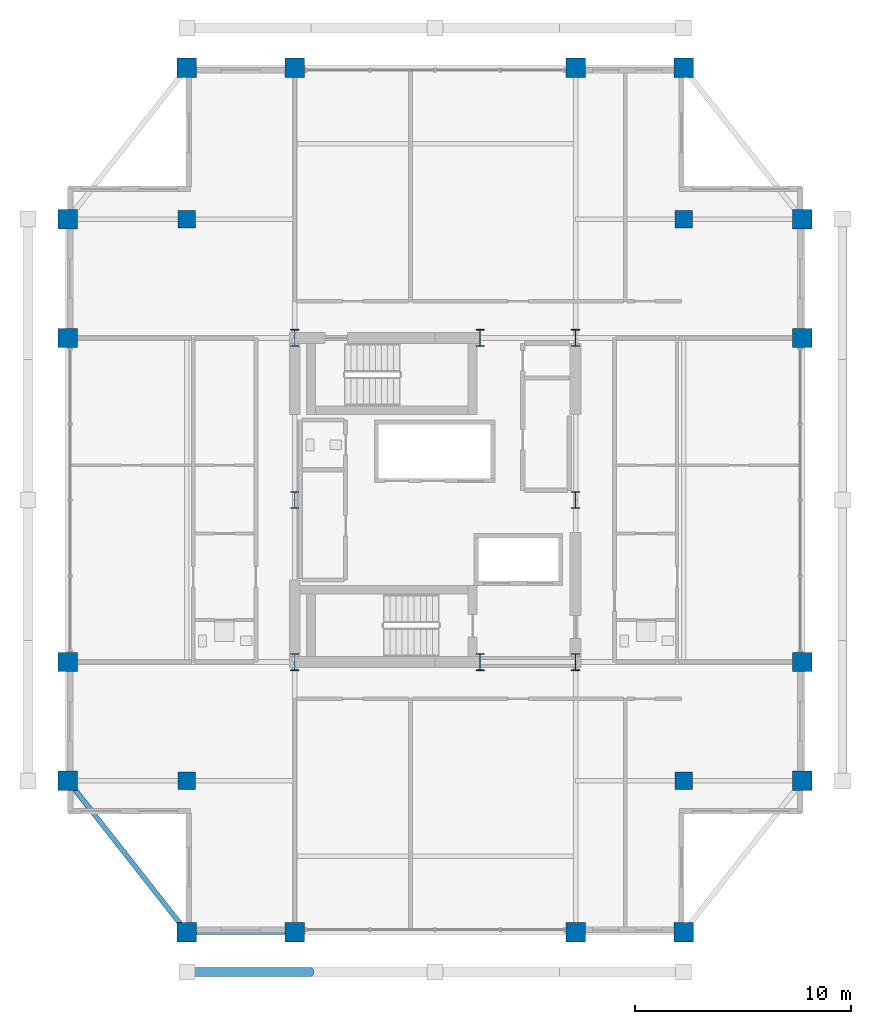
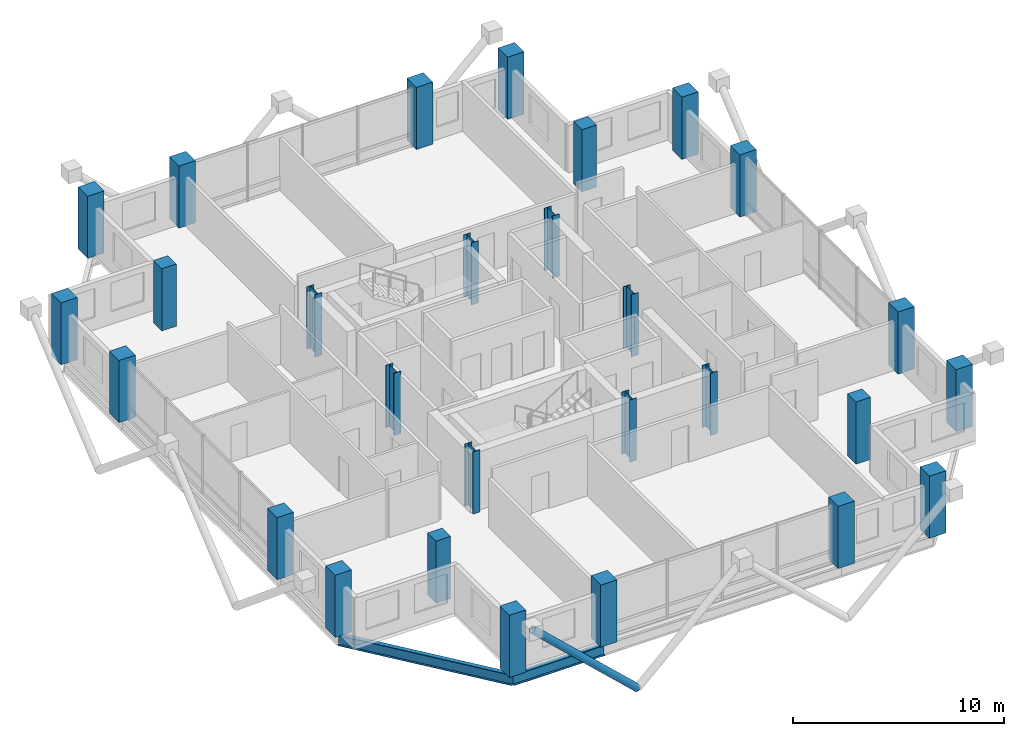
# One storey, part 1 of 23: 28 columns, 2 beams, 1 member.
"""IFC4 building model written with IfcOpenShell, lengths in metres."""

import ifcopenshell
import ifcopenshell.guid

model = None  # the IFC model being written
_history = None  # IfcOwnerHistory: only IFC2X3 demands one
_inside = {}  # id of a spatial element -> (the spatial element, [elements in it])
_under = {}  # id of a project, library or spatial element -> (it, [spatial elements below it])
_declared = {}  # id of a project -> (the project, [libraries it declares])
_typed = {}  # id of a type object -> (the type object, [elements of that type])
_made_of = {}  # id of a material, layer set ... -> (it, [elements and type objects made of it])


def new_model(schema):
    """Start an empty IFC model of exactly this schema.

    Asked for "IFC4X3", IfcOpenShell would pick the latest addendum, in which some entities
    have other attributes; the version numbers below select the first issue.
    IFC2X3 requires an IfcOwnerHistory on every rooted entity: one is made here for all.
    """
    global model, _history
    if schema == "IFC4X3":
        model = ifcopenshell.file(schema_version=(4, 3, 0, 0))
    else:
        model = ifcopenshell.file(schema=schema)
    _inside.clear()
    _under.clear()
    _declared.clear()
    _typed.clear()
    _made_of.clear()
    _history = None
    if model.schema == "IFC2X3":
        org = make("IfcOrganization", Name="unknown")
        user = make(
            "IfcPersonAndOrganization",
            ThePerson=make("IfcPerson", FamilyName="unknown"),
            TheOrganization=org,
        )
        app = make(
            "IfcApplication",
            ApplicationDeveloper=org,
            Version="unknown",
            ApplicationFullName="unknown",
            ApplicationIdentifier="unknown",
        )
        _history = make(
            "IfcOwnerHistory",
            OwningUser=user,
            OwningApplication=app,
            ChangeAction="ADDED",
            CreationDate=0,
        )
    return model


def make(cls, **values):
    """One entity of the class cls with the attributes given. An attribute that is None is left unset."""
    return model.create_entity(
        cls, **{name: value for name, value in values.items() if value is not None}
    )


def rooted(cls, **values):
    """An entity with a GlobalId (a new one), such as an element, a storey or a relation."""
    return make(cls, GlobalId=ifcopenshell.guid.new(), OwnerHistory=_history, **values)


def si_unit(unit_type, name, prefix=None):
    """IfcSIUnit, for example si_unit("LENGTHUNIT", "METRE", prefix="MILLI")."""
    return make("IfcSIUnit", UnitType=unit_type, Prefix=prefix, Name=name)


def assignment(units):
    """IfcUnitAssignment: the units of a project."""
    return None if units is None else make("IfcUnitAssignment", Units=units)


def point(xyz):
    """IfcCartesianPoint."""
    return None if xyz is None else make("IfcCartesianPoint", Coordinates=xyz)


def direction(xyz):
    """IfcDirection."""
    return None if xyz is None else make("IfcDirection", DirectionRatios=xyz)


def frame(location, z_axis=None, x_axis=None):
    """IfcAxis2Placement3D, a coordinate frame: its origin and axes. An axis left out is left unset."""
    return make(
        "IfcAxis2Placement3D",
        Location=point(location),
        Axis=direction(z_axis),
        RefDirection=direction(x_axis),
    )


def frame_2d(location, x_axis=None):
    """IfcAxis2Placement2D, a coordinate frame in the plane: its origin and x axis."""
    return make(
        "IfcAxis2Placement2D", Location=point(location), RefDirection=direction(x_axis)
    )


def origin():
    """The frame at (0, 0, 0) with its axes left unset."""
    return frame((0.0, 0.0, 0.0))


def origin_2d():
    """The frame at (0, 0) in the plane with its x axis left unset."""
    return frame_2d((0.0, 0.0))


def place(relative_to, where):
    """IfcLocalPlacement: puts the frame where relative to a parent placement (None: the world)."""
    return make(
        "IfcLocalPlacement", PlacementRelTo=relative_to, RelativePlacement=where
    )


def context(
    kind, dimensions, precision=None, world=None, true_north=None, identifier=None
):
    """IfcGeometricRepresentationContext, for example the 3D "Model" context."""
    return make(
        "IfcGeometricRepresentationContext",
        ContextIdentifier=identifier,
        ContextType=kind,
        CoordinateSpaceDimension=dimensions,
        Precision=precision,
        WorldCoordinateSystem=world,
        TrueNorth=true_north,
    )


def subcontext(parent, identifier, kind, view, scale=None):
    """IfcGeometricRepresentationSubContext, for example "Body" below "Model"."""
    return make(
        "IfcGeometricRepresentationSubContext",
        ContextIdentifier=identifier,
        ContextType=kind,
        ParentContext=parent,
        TargetScale=scale,
        TargetView=view,
    )


def project(units=None, contexts=None):
    """IfcProject with its units and contexts."""
    return rooted(
        "IfcProject",
        Name="project",
        RepresentationContexts=contexts,
        UnitsInContext=assignment(units),
    )


def spatial(cls, under=None, at=None, **own):
    """A site, building, storey or space (cls), placed at a placement, below another one or the project."""
    s = rooted(cls, ObjectPlacement=at, **own)
    if under is not None:
        _under.setdefault(under.id(), (under, []))[1].append(s)
    return s


def profile(cls, at=None, kind="AREA", **sizes):
    """A parametric profile (cls). Its sizes go by their IFC names, for example OverallWidth=200.0."""
    return make(cls, ProfileType=kind, Position=at, **sizes)


def rectangle(**sizes):
    """IfcRectangleProfileDef."""
    return profile("IfcRectangleProfileDef", **sizes)


def hollow_circle(**sizes):
    """IfcCircleHollowProfileDef."""
    return profile("IfcCircleHollowProfileDef", **sizes)


def i_section(**sizes):
    """IfcIShapeProfileDef."""
    return profile("IfcIShapeProfileDef", **sizes)


def extrude(swept, where, along, depth):
    """IfcExtrudedAreaSolid: the profile swept, set in the frame where, extruded along a direction by depth."""
    return make(
        "IfcExtrudedAreaSolid",
        SweptArea=swept,
        Position=where,
        ExtrudedDirection=direction(along),
        Depth=depth,
    )


def shape(context_of_items, identifier, shape_type, items):
    """IfcShapeRepresentation: the items that make up one representation, for example the "Body"."""
    return make(
        "IfcShapeRepresentation",
        ContextOfItems=context_of_items,
        RepresentationIdentifier=identifier,
        RepresentationType=shape_type,
        Items=items,
    )


def material(Name=None, Category=None):
    """IfcMaterial."""
    return make("IfcMaterial", Name=Name, Category=Category)


def material_profile(
    of_material, cross_section, Name=None, Category=None, Priority=None
):
    """IfcMaterialProfile: a cross section and its material."""
    return make(
        "IfcMaterialProfile",
        Name=Name,
        Material=of_material,
        Profile=cross_section,
        Priority=Priority,
        Category=Category,
    )


def profile_set(profiles, Name=None, composite=None):
    """IfcMaterialProfileSet."""
    return make(
        "IfcMaterialProfileSet",
        Name=Name,
        MaterialProfiles=profiles,
        CompositeProfile=composite,
    )


def made_of(thing, what):
    """Note that an element or type object is made of a material, layer set ...; save() writes the relation."""
    if what is not None:
        _made_of.setdefault(what.id(), (what, []))[1].append(thing)
    return thing


def type_object(cls, material=None, **own):
    """A type object (cls), such as IfcWallType, which elements share."""
    return made_of(rooted(cls, **own), material)


def element(
    cls,
    number,
    at=None,
    inside=None,
    cuts=None,
    type_object=None,
    material=None,
    context=None,
    identifier="Body",
    shape_type=None,
    held_by="IfcProductDefinitionShape",
    body=None,
    shapes=None,
    **own,
):
    """One element of the class cls, such as IfcWall. Its Tag is "e" and its number.

    at: its placement. inside: the storey or other place that contains it. cuts: it is an
    opening in that element (IfcRelVoidsElement). A single representation is given by context,
    identifier, shape_type and body (its items); several are given by shapes. held_by: the class
    of the entity that holds the representations. save() writes the other relations.
    """
    e = rooted(cls, Tag="e%d" % number, ObjectPlacement=at, **own)
    if body is not None:
        shapes = [shape(context, identifier, shape_type, body)]
    if shapes is not None:
        e.Representation = make(held_by, Representations=shapes)
    if inside is not None:
        _inside.setdefault(inside.id(), (inside, []))[1].append(e)
    if cuts is not None:
        rooted(
            "IfcRelVoidsElement", RelatingBuildingElement=cuts, RelatedOpeningElement=e
        )
    if type_object is not None:
        _typed.setdefault(type_object.id(), (type_object, []))[1].append(e)
    return made_of(e, material)


def aggregate(whole, parts):
    """IfcRelAggregates: a whole, such as a stair, and the parts it consists of."""
    return rooted("IfcRelAggregates", RelatingObject=whole, RelatedObjects=parts)


def save(model, path):
    """Write the relations noted so far, then the file.

    IfcRelAggregates (storeys below a building ...), IfcRelContainedInSpatialStructure (elements
    in a storey), IfcRelDefinesByType, IfcRelAssociatesMaterial and IfcRelDeclares: one each for
    every whole, place, type object, material and project.
    """
    for whole, parts in _under.values():
        aggregate(whole, parts)
    for where, things in _inside.values():
        rooted(
            "IfcRelContainedInSpatialStructure",
            RelatedElements=things,
            RelatingStructure=where,
        )
    for kind, things in _typed.values():
        rooted("IfcRelDefinesByType", RelatedObjects=things, RelatingType=kind)
    for what, things in _made_of.values():
        rooted("IfcRelAssociatesMaterial", RelatedObjects=things, RelatingMaterial=what)
    for by, libraries in _declared.values():
        rooted("IfcRelDeclares", RelatingContext=by, RelatedDefinitions=libraries)
    model.write(path)


model = new_model("IFC4")

# Units and contexts
model_context = context("Model", 3, precision=1e-05, world=origin(), true_north=direction((0.0, 1.0)))
body_context = subcontext(model_context, "Body", "Model", "MODEL_VIEW")
ifc_project = project(units=[si_unit("LENGTHUNIT", "METRE"), si_unit("AREAUNIT", "SQUARE_METRE"), si_unit("VOLUMEUNIT", "CUBIC_METRE"), si_unit("PLANEANGLEUNIT", "RADIAN"), si_unit("MASSUNIT", "GRAM", prefix="KILO")], contexts=[model_context])

# Site, building, storey
site_placement = place(None, origin())
site = spatial("IfcSite", under=ifc_project, at=site_placement, CompositionType="ELEMENT")
building_placement = place(site_placement, origin())
building = spatial("IfcBuilding", under=site, at=building_placement, Name="Barlavira Tower and Art Museum", CompositionType="ELEMENT")
storey_placement = place(building_placement, frame((0.0, 0.0, 290.699951171875)))
storey = spatial("IfcBuildingStorey", under=building, at=storey_placement, Name="L76", CompositionType="ELEMENT", Elevation=290.699951171875)

# Columns
ifc_material_1 = material(Name="Steel S355", Category="steel")
ifc_material_profile_1 = material_profile(ifc_material_1, i_section(OverallWidth=0.382080078125, OverallDepth=0.785888671875, WebThickness=0.02001953125, FlangeThickness=0.032958984375, at=origin_2d()), Name="W760x314.0")
ifc_profile_set_1 = profile_set([ifc_material_profile_1], Name="Steel S355")
column_type_1 = type_object("IfcColumnType", Name="Core Composite Column W760x314 Steel S355", PredefinedType="COLUMN", material=ifc_profile_set_1)
for number, where, z_axis, x_axis, name in (
    (1, (-6.5, -7.5, 0.0), (0.0, 0.0, 1.0), (1.0, 0.0, 0.0), "L76 Column CC-L76-C1"),
    (2, (2.080078125, -7.5, 0.0), (0.0, 0.0, 1.0), (1.0, 0.0, 0.0), "L76 Column CC-L76-C2"),
    (3, (6.5, -7.5, 0.0), (0.0, 0.0, 1.0), (1.0, 0.0, 0.0), "L76 Column CC-L76-C3"),
    (4, (-6.5, 0.0, 0.0), (0.0, 0.0, 1.0), (1.0, 0.0, 0.0), "L76 Column CC-L76-C4"),
    (5, (6.5, 0.0, 0.0), (0.0, 0.0, 1.0), (1.0, 0.0, 0.0), "L76 Column CC-L76-C5"),
    (6, (-6.5, 7.5, 0.0), (0.0, 0.0, 1.0), (1.0, 0.0, 0.0), "L76 Column CC-L76-C6"),
    (7, (2.080078125, 7.5, 0.0), (0.0, 0.0, 1.0), (1.0, 0.0, 0.0), "L76 Column CC-L76-C7"),
    (8, (6.5, 7.5, 0.0), (0.0, 0.0, 1.0), (1.0, 0.0, 0.0), "L76 Column CC-L76-C8"),
):
    element("IfcColumn", number, at=place(storey_placement, frame(where, z_axis=z_axis, x_axis=x_axis)), inside=storey, type_object=column_type_1, Name=name, PredefinedType="COLUMN", context=body_context, shape_type="SweptSolid", body=[
        extrude(i_section(OverallWidth=0.382080078125, OverallDepth=0.785888671875, WebThickness=0.02001953125, FlangeThickness=0.032958984375, at=origin_2d()), origin(), (0.0, 0.0, 1.0), 3.60009765625),
    ])
ifc_material_2 = material(Name="Concrete C50", Category="concrete")
ifc_material_profile_2 = material_profile(ifc_material_2, rectangle(XDim=0.89990234375, YDim=0.89990234375, at=origin_2d()), Name="RC-COL 900x900")
ifc_profile_set_2 = profile_set([ifc_material_profile_2], Name="Concrete C50")
column_type_2 = type_object("IfcColumnType", Name="Perimeter Mega Column 900x900 Concrete C50", PredefinedType="USERDEFINED", material=ifc_profile_set_2)
for number, where, z_axis, x_axis, name in (
    (9, (-11.5, -20.0, 0.0), (0.0, 0.0, 1.0), (1.0, 0.0, 0.0), "L76 Column MC-L76-M01"),
    (10, (-6.5, -20.0, 0.0), (0.0, 0.0, 1.0), (1.0, 0.0, 0.0), "L76 Column MC-L76-M02"),
    (11, (6.5, -20.0, 0.0), (0.0, 0.0, 1.0), (1.0, 0.0, 0.0), "L76 Column MC-L76-M03"),
    (12, (11.5, -20.0, 0.0), (0.0, 0.0, 1.0), (1.0, 0.0, 0.0), "L76 Column MC-L76-M04"),
    (13, (17.0, -13.0, 0.0), (0.0, 0.0, 1.0), (1.0, 0.0, 0.0), "L76 Column MC-L76-M05"),
    (14, (17.0, -7.5, 0.0), (0.0, 0.0, 1.0), (1.0, 0.0, 0.0), "L76 Column MC-L76-M06"),
    (15, (17.0, 7.5, 0.0), (0.0, 0.0, 1.0), (1.0, 0.0, 0.0), "L76 Column MC-L76-M07"),
    (16, (17.0, 13.0, 0.0), (0.0, 0.0, 1.0), (1.0, 0.0, 0.0), "L76 Column MC-L76-M08"),
    (17, (11.5, 20.0, 0.0), (0.0, 0.0, 1.0), (1.0, 0.0, 0.0), "L76 Column MC-L76-M09"),
    (18, (6.5, 20.0, 0.0), (0.0, 0.0, 1.0), (1.0, 0.0, 0.0), "L76 Column MC-L76-M10"),
    (19, (-6.5, 20.0, 0.0), (0.0, 0.0, 1.0), (1.0, 0.0, 0.0), "L76 Column MC-L76-M11"),
    (20, (-11.5, 20.0, 0.0), (0.0, 0.0, 1.0), (1.0, 0.0, 0.0), "L76 Column MC-L76-M12"),
    (21, (-17.0, 13.0, 0.0), (0.0, 0.0, 1.0), (1.0, 0.0, 0.0), "L76 Column MC-L76-M13"),
    (22, (-17.0, 7.5, 0.0), (0.0, 0.0, 1.0), (1.0, 0.0, 0.0), "L76 Column MC-L76-M14"),
    (23, (-17.0, -7.5, 0.0), (0.0, 0.0, 1.0), (1.0, 0.0, 0.0), "L76 Column MC-L76-M15"),
    (24, (-17.0, -13.0, 0.0), (0.0, 0.0, 1.0), (1.0, 0.0, 0.0), "L76 Column MC-L76-M16"),
):
    element("IfcColumn", number, at=place(storey_placement, frame(where, z_axis=z_axis, x_axis=x_axis)), inside=storey, type_object=column_type_2, Name=name, ObjectType="MEGA COLUMN", PredefinedType="USERDEFINED", context=body_context, shape_type="SweptSolid", body=[
        extrude(rectangle(XDim=0.89990234375, YDim=0.89990234375, at=origin_2d()), origin(), (0.0, 0.0, 1.0), 3.60009765625),
    ])
ifc_material_profile_3 = material_profile(ifc_material_2, rectangle(XDim=0.800048828125, YDim=0.800048828125, at=origin_2d()), Name="RC-COL 800x800")
ifc_profile_set_3 = profile_set([ifc_material_profile_3], Name="Concrete C50")
column_type_3 = type_object("IfcColumnType", Name="Podium Frame Column 800x800 Concrete C50", PredefinedType="COLUMN", material=ifc_profile_set_3)
for number, where, z_axis, x_axis, name in (
    (25, (-11.5, -13.0, 0.0), (0.0, 0.0, 1.0), (1.0, 0.0, 0.0), "L76 Column CI-L76-I1"),
    (26, (11.5, -13.0, 0.0), (0.0, 0.0, 1.0), (1.0, 0.0, 0.0), "L76 Column CI-L76-I2"),
    (27, (-11.5, 13.0, 0.0), (0.0, 0.0, 1.0), (1.0, 0.0, 0.0), "L76 Column CI-L76-I3"),
    (28, (11.5, 13.0, 0.0), (0.0, 0.0, 1.0), (1.0, 0.0, 0.0), "L76 Column CI-L76-I4"),
):
    element("IfcColumn", number, at=place(storey_placement, frame(where, z_axis=z_axis, x_axis=x_axis)), inside=storey, type_object=column_type_3, Name=name, PredefinedType="COLUMN", context=body_context, shape_type="SweptSolid", body=[
        extrude(rectangle(XDim=0.800048828125, YDim=0.800048828125, at=origin_2d()), origin(), (0.0, 0.0, 1.0), 3.60009765625),
    ])

# Member
ifc_material_profile_4 = material_profile(ifc_material_1, hollow_circle(Radius=0.203125, WallThickness=0.01611328125, at=origin_2d()), Name="CHS 406.4x16.0")
ifc_profile_set_4 = profile_set([ifc_material_profile_4], Name="Steel S355")
member_type = type_object("IfcMemberType", Name="Pale-Metal Exoskeleton Diagrid Tube CHS 406x16 Steel S355", PredefinedType="BRACE", material=ifc_profile_set_4)
member_placement = place(storey_placement, frame((-5.75, -21.85009765625, -1.919921875), z_axis=(-0.728950095515, 0.0, 0.684566839869), x_axis=(0.0, -1.0, 0.0)))
element("IfcMember", 29, at=member_placement, inside=storey, type_object=member_type, Name="L76 Exoskeleton Diagrid Tube S", PredefinedType="BRACE", context=body_context, shape_type="SweptSolid", body=[
    extrude(hollow_circle(Radius=0.203125, WallThickness=0.01611328125, at=origin_2d()), origin(), (0.0, 0.0, 1.0), 7.887939453125),
])

# Beams
ifc_material_profile_5 = material_profile(ifc_material_1, i_section(OverallWidth=0.22998046875, OverallDepth=0.616943359375, WebThickness=0.01318359375, FlangeThickness=0.022216796875, at=origin_2d()), Name="W610x140.0")
ifc_profile_set_5 = profile_set([ifc_material_profile_5], Name="Steel S355")
beam_type = type_object("IfcBeamType", Name="Upper Shaft Spandrel Edge Beam W610x140 Steel S355", PredefinedType="SPANDREL", material=ifc_profile_set_5)
beam_1_placement = place(storey_placement, frame((-11.5, -20.0, -0.528564453125), z_axis=(1.0, 0.0, 0.0), x_axis=(0.0, 1.0, 0.0)))
element("IfcBeam", 30, at=beam_1_placement, inside=storey, type_object=beam_type, Name="L76 Spandrel 1", PredefinedType="SPANDREL", context=body_context, shape_type="SweptSolid", body=[
    extrude(i_section(OverallWidth=0.22998046875, OverallDepth=0.616943359375, WebThickness=0.01318359375, FlangeThickness=0.022216796875, at=origin_2d()), origin(), (0.0, 0.0, 1.0), 5.0),
])
beam_2_placement = place(storey_placement, frame((-17.0, -13.0, -0.528564453125), z_axis=(0.617821551932, -0.786318338822, 0.0), x_axis=(0.786318338822, 0.617821551932, 0.0)))
element("IfcBeam", 31, at=beam_2_placement, inside=storey, type_object=beam_type, Name="L76 Spandrel 16", PredefinedType="SPANDREL", context=body_context, shape_type="SweptSolid", body=[
    extrude(i_section(OverallWidth=0.22998046875, OverallDepth=0.616943359375, WebThickness=0.01318359375, FlangeThickness=0.022216796875, at=origin_2d()), origin(), (0.0, 0.0, 1.0), 8.90234375),
])

save(model, "model.ifc")
